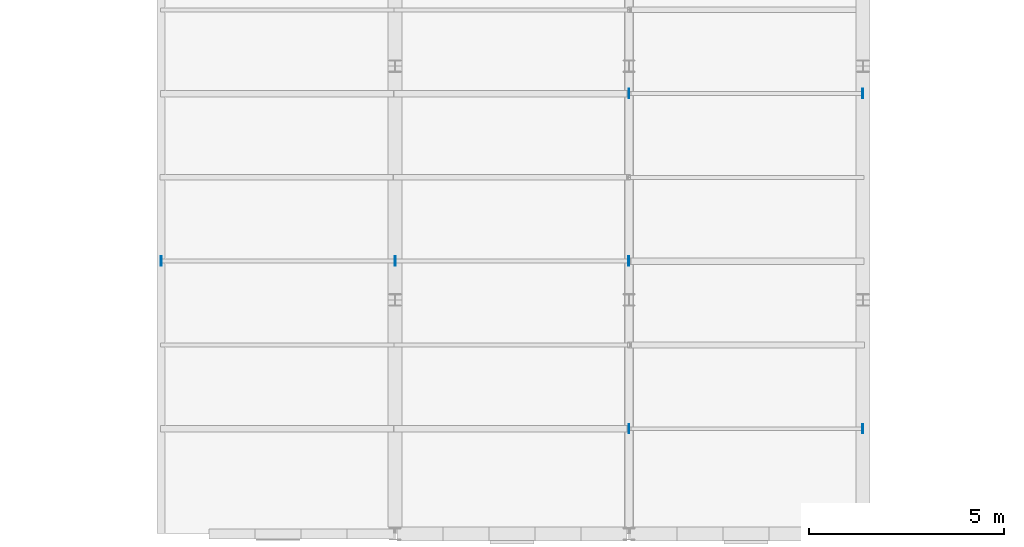
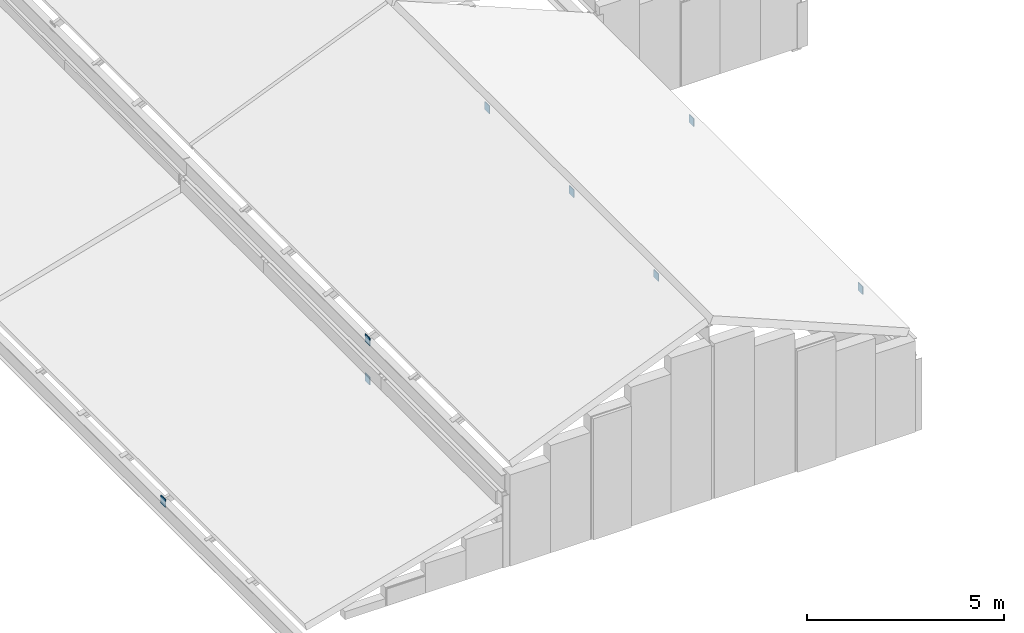
# One storey, part 43 of 74: 8 plates.
"""IFC4 building model written with IfcOpenShell, lengths in metres."""

from ifc_helpers import new_model, si_unit, direction, frame, origin, origin_2d, place, context, subcontext, project, spatial, rectangle, extrude, material, layer, layer_set, type_object, element, save


model = new_model("IFC4")

# Units and contexts
model_context = context("Model", 3, precision=1e-05, world=origin(), true_north=direction((0.0, 1.0)))
body_context = subcontext(model_context, "Body", "Model", "MODEL_VIEW")
ifc_project = project(units=[si_unit("LENGTHUNIT", "METRE"), si_unit("AREAUNIT", "SQUARE_METRE"), si_unit("VOLUMEUNIT", "CUBIC_METRE"), si_unit("PLANEANGLEUNIT", "RADIAN"), si_unit("MASSUNIT", "GRAM", prefix="KILO")], contexts=[model_context])

# Site, building, storey
site_placement = place(None, origin())
site = spatial("IfcSite", under=ifc_project, at=site_placement, CompositionType="ELEMENT")
building_placement = place(site_placement, origin())
building = spatial("IfcBuilding", under=site, at=building_placement, Name="Siltcreek Boulevard Central Fire Station", CompositionType="ELEMENT")
storey_placement = place(building_placement, frame((0.0, 0.0, 25.199951171875)))
storey = spatial("IfcBuildingStorey", under=building, at=storey_placement, Name="RF", CompositionType="ELEMENT", Elevation=25.199951171875)

# Plates
ifc_material = material(Name="Structural steel ASTM A572 Gr50", Category="steel")
ifc_layer = layer(ifc_material, 0.02490234375, Name="Structural steel ASTM A572 Gr50")
ifc_layer_set = layer_set([ifc_layer], Name="Structural steel ASTM A572 Gr50")
plate_type = type_object("IfcPlateType", Name="PL_CAP25", PredefinedType="USERDEFINED", material=ifc_layer_set)
for number, where, z_axis, x_axis, name in (
    (1, (42.0, 8.795654296875, -15.52685546875), (0.0, 0.0, 1.0), (1.0, 0.0, 0.0), "Sloped roof purlin PR-0003 sealed end cap 1"),
    (2, (48.0, 8.795654296875, -13.8271484375), (0.0, 0.0, 1.0), (1.0, 0.0, 0.0), "Sloped roof purlin PR-0003 sealed end cap 2"),
    (3, (48.000244140625, 8.795654296875, -12.61279296875), (0.0, 0.0, 1.0), (1.0, 0.0, 0.0), "Sloped roof purlin PR-0023 sealed end cap 1"),
    (4, (53.999755859375, 8.795654296875, -10.11328125), (0.0, 0.0, 1.0), (1.0, 0.0, 0.0), "Sloped roof purlin PR-0023 sealed end cap 2"),
    (5, (54.000244140625, 4.49853515625, -10.11328125), (0.0, 0.0, 1.0), (1.0, 0.0, 0.0), "Sloped roof purlin PR-0027 sealed end cap 1"),
    (6, (59.999755859375, 4.49853515625, -12.61279296875), (0.0, 0.0, 1.0), (1.0, 0.0, 0.0), "Sloped roof purlin PR-0027 sealed end cap 2"),
    (7, (54.000244140625, 13.093017578125, -10.11328125), (0.0, 0.0, 1.0), (1.0, 0.0, 0.0), "Sloped roof purlin PR-0031 sealed end cap 1"),
    (8, (59.999755859375, 13.093017578125, -12.61279296875), (0.0, 0.0, 1.0), (1.0, 0.0, 0.0), "Sloped roof purlin PR-0031 sealed end cap 2"),
):
    element("IfcPlate", number, at=place(storey_placement, frame(where, z_axis=z_axis, x_axis=x_axis)), inside=storey, type_object=plate_type, Name=name, ObjectType="END CAP", PredefinedType="USERDEFINED", context=body_context, shape_type="SweptSolid", body=[
        extrude(rectangle(XDim=0.02490234375, YDim=0.239990234375, at=origin_2d()), origin(), (0.0, 0.0, 1.0), 0.239990234375),
    ])

save(model, "model.ifc")
